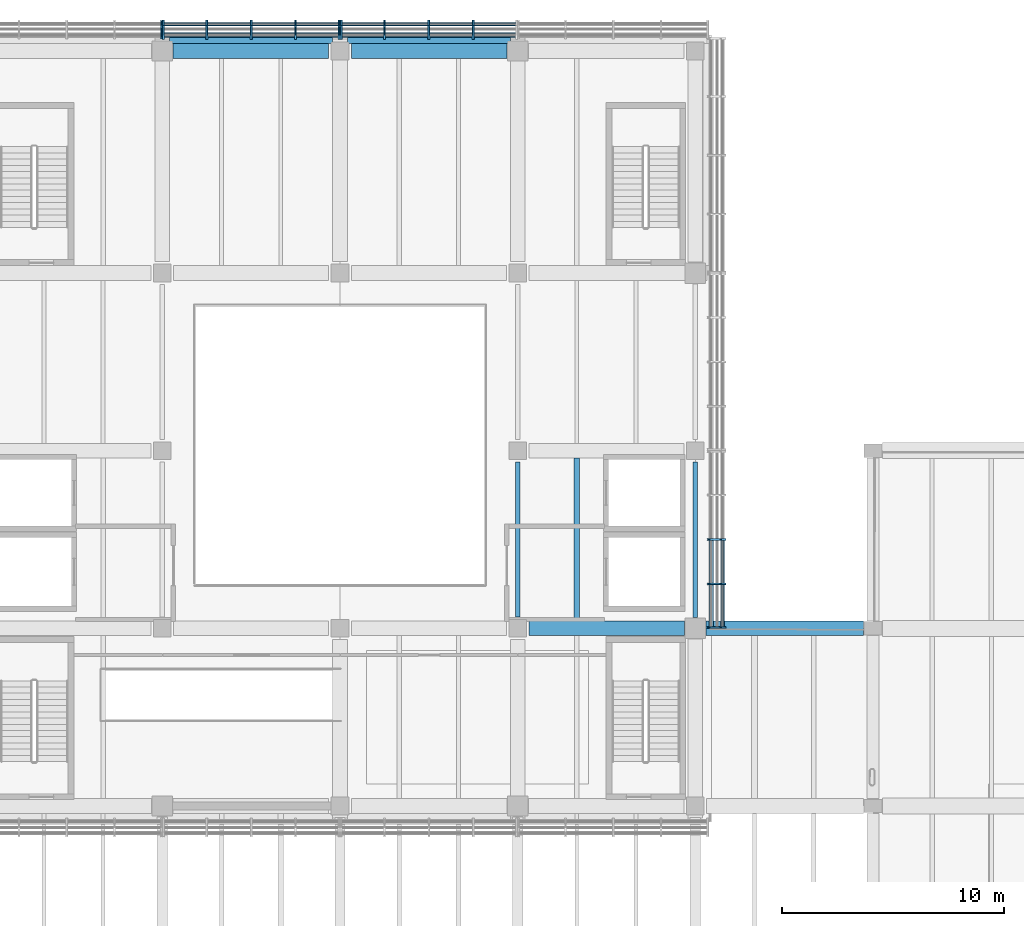
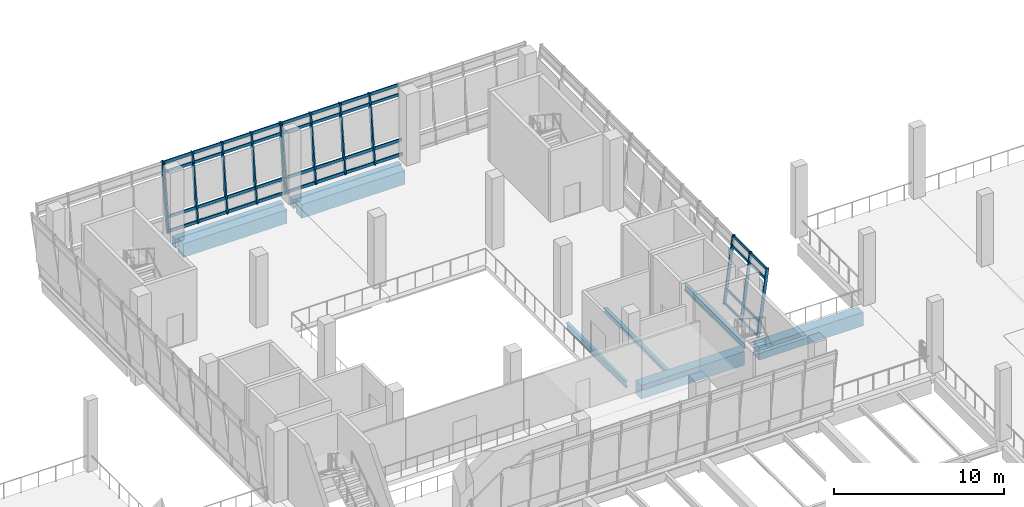
# One storey, part 18 of 61: 53 members, 9 beams, 4 elements without a shape of their own.
"""IFC4 building model written with IfcOpenShell, lengths in metres."""

from ifc_helpers import new_model, si_unit, direction, frame, origin, origin_2d, place, context, subcontext, project, spatial, rectangle, i_section, extrude, material, material_profile, profile_set, type_object, element, aggregate, save


model = new_model("IFC4")

# Units and contexts
model_context = context("Model", 3, precision=1e-05, world=origin(), true_north=direction((0.0, 1.0)))
body_context = subcontext(model_context, "Body", "Model", "MODEL_VIEW")
ifc_project = project(units=[si_unit("LENGTHUNIT", "METRE"), si_unit("AREAUNIT", "SQUARE_METRE"), si_unit("VOLUMEUNIT", "CUBIC_METRE"), si_unit("PLANEANGLEUNIT", "RADIAN"), si_unit("MASSUNIT", "GRAM", prefix="KILO")], contexts=[model_context])

# Site, building, storey
site_placement = place(None, origin())
site = spatial("IfcSite", under=ifc_project, at=site_placement, CompositionType="ELEMENT")
building_placement = place(site_placement, origin())
building = spatial("IfcBuilding", under=site, at=building_placement, Name="Pecanmere Concourse Central Library", CompositionType="ELEMENT")
storey_placement = place(building_placement, frame((0.0, 0.0, 5.39990234375)))
storey = spatial("IfcBuildingStorey", under=building, at=storey_placement, Name="L02", CompositionType="ELEMENT", Elevation=5.39990234375)

# Curtain wall, member
ifc_material_1 = material(Name="Anodized bronze aluminium alloy 6063-T6", Category="aluminium")
curtain_wall_type_1 = type_object("IfcCurtainWallType", Name="CW_LEAN_BANDED", PredefinedType="USERDEFINED", material=ifc_material_1)
curtain_wall_1_placement = place(storey_placement, origin())
curtain_wall_1 = element("IfcCurtainWall", 1, at=curtain_wall_1_placement, inside=storey, type_object=curtain_wall_type_1, Name="Unitised Curtain Wall CW-01 L02-011", ObjectType="UNITISED CURTAIN WALL", PredefinedType="USERDEFINED")
ifc_material_2 = material(Name="Anodized bronze aluminium alloy 6063-T6", Category="aluminium")
ifc_material_profile_1 = material_profile(ifc_material_2, rectangle(XDim=0.074951171875, YDim=0.199951171875, at=origin_2d()), Name="AL 75x200")
ifc_profile_set_1 = profile_set([ifc_material_profile_1], Name="Anodized bronze aluminium alloy 6063-T6")
member_type_1 = type_object("IfcMemberType", Name="CWM_200x75", PredefinedType="MULLION", material=ifc_profile_set_1)
member_1_placement = place(storey_placement, frame((79.95751953125, 124.640380859375, 0.0), z_axis=(0.0, 0.132283601957, 0.991211909055), x_axis=(-1.0, 0.0, 0.0)))
member_1 = element("IfcMember", 2, at=member_1_placement, type_object=member_type_1, Name="CW-01 Mullion 1", PredefinedType="MULLION", context=body_context, shape_type="SweptSolid", body=[
    extrude(rectangle(XDim=0.074951171875, YDim=0.199951171875, at=origin_2d()), origin(), (0.0, 0.0, 1.0), 4.80224609375),
])
aggregate(curtain_wall_1, [member_1])

# Curtain wall, members
curtain_wall_2_placement = place(storey_placement, origin())
curtain_wall_2 = element("IfcCurtainWall", 3, at=curtain_wall_2_placement, inside=storey, type_object=curtain_wall_type_1, Name="Unitised Curtain Wall CW-01 L02-016", ObjectType="UNITISED CURTAIN WALL", PredefinedType="USERDEFINED")
member_2_placement = place(storey_placement, frame((104.640380859375, 98.04248046875, 0.0), z_axis=(0.132283601957, 0.0, 0.991211909055), x_axis=(0.0, 1.0, 0.0)))
member_2 = element("IfcMember", 4, at=member_2_placement, type_object=member_type_1, Name="CW-01 Mullion 1", PredefinedType="MULLION", context=body_context, shape_type="SweptSolid", body=[
    extrude(rectangle(XDim=0.074951171875, YDim=0.199951171875, at=origin_2d()), origin(), (0.0, 0.0, 1.0), 4.80224609375),
])
member_3_placement = place(storey_placement, frame((104.640380859375, 100.00244140625, 0.0), z_axis=(0.132283601957, 0.0, 0.991211909055), x_axis=(0.0, 1.0, 0.0)))
member_3 = element("IfcMember", 5, at=member_3_placement, type_object=member_type_1, Name="CW-01 Mullion 2", PredefinedType="MULLION", context=body_context, shape_type="SweptSolid", body=[
    extrude(rectangle(XDim=0.074951171875, YDim=0.199951171875, at=origin_2d()), origin(), (0.0, 0.0, 1.0), 4.80224609375),
])
member_4_placement = place(storey_placement, frame((104.640380859375, 102.0, 0.0), z_axis=(0.132283601957, 0.0, 0.991211909055), x_axis=(0.0, 1.0, 0.0)))
member_4 = element("IfcMember", 6, at=member_4_placement, type_object=member_type_1, Name="CW-01 Mullion 3", PredefinedType="MULLION", context=body_context, shape_type="SweptSolid", body=[
    extrude(rectangle(XDim=0.074951171875, YDim=0.199951171875, at=origin_2d()), origin(), (0.0, 0.0, 1.0), 4.80224609375),
])

ifc_material_3 = material(Name="Anodized bronze aluminium alloy 6063-T6", Category="aluminium")
curtain_wall_type_2 = type_object("IfcCurtainWallType", Name="CW_PORTAL_CLEAR", PredefinedType="USERDEFINED", material=ifc_material_3)
curtain_wall_3_placement = place(storey_placement, origin())
curtain_wall_3 = element("IfcCurtainWall", 7, at=curtain_wall_3_placement, inside=storey, type_object=curtain_wall_type_2, Name="Unitised Curtain Wall CW-03 L02-009", ObjectType="UNITISED CURTAIN WALL", PredefinedType="USERDEFINED")
ifc_material_4 = material(Name="Anodized bronze aluminium alloy 6063-T6", Category="aluminium")
ifc_material_profile_2 = material_profile(ifc_material_4, rectangle(XDim=0.0849609375, YDim=0.239990234375, at=origin_2d()), Name="AL 85x240")
ifc_profile_set_2 = profile_set([ifc_material_profile_2], Name="Anodized bronze aluminium alloy 6063-T6")
member_type_2 = type_object("IfcMemberType", Name="CWM_240x85", PredefinedType="MULLION", material=ifc_profile_set_2)
member_5_placement = place(storey_placement, frame((93.99755859375, 124.640380859375, 0.0), z_axis=(0.0, 0.132283601957, 0.991211909055), x_axis=(-1.0, 0.0, 0.0)))
member_5 = element("IfcMember", 8, at=member_5_placement, type_object=member_type_2, Name="CW-03 Mullion 2", PredefinedType="MULLION", context=body_context, shape_type="SweptSolid", body=[
    extrude(rectangle(XDim=0.0849609375, YDim=0.239990234375, at=origin_2d()), origin(), (0.0, 0.0, 1.0), 4.80224609375),
])
member_6_placement = place(storey_placement, frame((92.0, 124.640380859375, 0.0), z_axis=(0.0, 0.132283601957, 0.991211909055), x_axis=(-1.0, 0.0, 0.0)))
member_6 = element("IfcMember", 9, at=member_6_placement, type_object=member_type_2, Name="CW-03 Mullion 3", PredefinedType="MULLION", context=body_context, shape_type="SweptSolid", body=[
    extrude(rectangle(XDim=0.0849609375, YDim=0.239990234375, at=origin_2d()), origin(), (0.0, 0.0, 1.0), 4.80224609375),
])
member_7_placement = place(storey_placement, frame((90.00244140625, 124.640380859375, 0.0), z_axis=(0.0, 0.132283601957, 0.991211909055), x_axis=(-1.0, 0.0, 0.0)))
member_7 = element("IfcMember", 10, at=member_7_placement, type_object=member_type_2, Name="CW-03 Mullion 4", PredefinedType="MULLION", context=body_context, shape_type="SweptSolid", body=[
    extrude(rectangle(XDim=0.0849609375, YDim=0.239990234375, at=origin_2d()), origin(), (0.0, 0.0, 1.0), 4.80224609375),
])
member_8_placement = place(storey_placement, frame((88.047607421875, 124.640380859375, 0.0), z_axis=(0.0, 0.132283601957, 0.991211909055), x_axis=(-1.0, 0.0, 0.0)))
member_8 = element("IfcMember", 11, at=member_8_placement, type_object=member_type_2, Name="CW-03 Mullion 5", PredefinedType="MULLION", context=body_context, shape_type="SweptSolid", body=[
    extrude(rectangle(XDim=0.0849609375, YDim=0.239990234375, at=origin_2d()), origin(), (0.0, 0.0, 1.0), 4.80224609375),
])

curtain_wall_4_placement = place(storey_placement, origin())
curtain_wall_4 = element("IfcCurtainWall", 12, at=curtain_wall_4_placement, inside=storey, type_object=curtain_wall_type_2, Name="Unitised Curtain Wall CW-03 L02-010", ObjectType="UNITISED CURTAIN WALL", PredefinedType="USERDEFINED")
member_9_placement = place(storey_placement, frame((87.952392578125, 124.640380859375, 0.0), z_axis=(0.0, 0.132283601957, 0.991211909055), x_axis=(-1.0, 0.0, 0.0)))
member_9 = element("IfcMember", 13, at=member_9_placement, type_object=member_type_2, Name="CW-03 Mullion 1", PredefinedType="MULLION", context=body_context, shape_type="SweptSolid", body=[
    extrude(rectangle(XDim=0.0849609375, YDim=0.239990234375, at=origin_2d()), origin(), (0.0, 0.0, 1.0), 4.80224609375),
])
member_10_placement = place(storey_placement, frame((85.99755859375, 124.640380859375, 0.0), z_axis=(0.0, 0.132283601957, 0.991211909055), x_axis=(-1.0, 0.0, 0.0)))
member_10 = element("IfcMember", 14, at=member_10_placement, type_object=member_type_2, Name="CW-03 Mullion 2", PredefinedType="MULLION", context=body_context, shape_type="SweptSolid", body=[
    extrude(rectangle(XDim=0.0849609375, YDim=0.239990234375, at=origin_2d()), origin(), (0.0, 0.0, 1.0), 4.80224609375),
])
member_11_placement = place(storey_placement, frame((84.0, 124.640380859375, 0.0), z_axis=(0.0, 0.132283601957, 0.991211909055), x_axis=(-1.0, 0.0, 0.0)))
member_11 = element("IfcMember", 15, at=member_11_placement, type_object=member_type_2, Name="CW-03 Mullion 3", PredefinedType="MULLION", context=body_context, shape_type="SweptSolid", body=[
    extrude(rectangle(XDim=0.0849609375, YDim=0.239990234375, at=origin_2d()), origin(), (0.0, 0.0, 1.0), 4.80224609375),
])
member_12_placement = place(storey_placement, frame((82.00244140625, 124.640380859375, 0.0), z_axis=(0.0, 0.132283601957, 0.991211909055), x_axis=(-1.0, 0.0, 0.0)))
member_12 = element("IfcMember", 16, at=member_12_placement, type_object=member_type_2, Name="CW-03 Mullion 4", PredefinedType="MULLION", context=body_context, shape_type="SweptSolid", body=[
    extrude(rectangle(XDim=0.0849609375, YDim=0.239990234375, at=origin_2d()), origin(), (0.0, 0.0, 1.0), 4.80224609375),
])
member_13_placement = place(storey_placement, frame((80.047607421875, 124.640380859375, 0.0), z_axis=(0.0, 0.132283601957, 0.991211909055), x_axis=(-1.0, 0.0, 0.0)))
member_13 = element("IfcMember", 17, at=member_13_placement, type_object=member_type_2, Name="CW-03 Mullion 5", PredefinedType="MULLION", context=body_context, shape_type="SweptSolid", body=[
    extrude(rectangle(XDim=0.0849609375, YDim=0.239990234375, at=origin_2d()), origin(), (0.0, 0.0, 1.0), 4.80224609375),
])

# Member
ifc_material_5 = material(Name="Anodized bronze aluminium alloy 6063-T6", Category="aluminium")
ifc_material_profile_3 = material_profile(ifc_material_5, rectangle(XDim=0.06494140625, YDim=0.179931640625, at=origin_2d()), Name="AL 65x180")
ifc_profile_set_3 = profile_set([ifc_material_profile_3], Name="Anodized bronze aluminium alloy 6063-T6")
member_type_3 = type_object("IfcMemberType", Name="CWT_180x65", PredefinedType="USERDEFINED", material=ifc_profile_set_3)
member_14_placement = place(storey_placement, frame((104.652587890625, 98.080078125, 0.090087890625), z_axis=(0.0, 1.0, 0.0), x_axis=(-1.0, 0.0, 0.0)))
member_14 = element("IfcMember", 18, at=member_14_placement, type_object=member_type_3, Name="CW-01 Transom 1.1", ObjectType="TRANSOM", PredefinedType="USERDEFINED", context=body_context, shape_type="SweptSolid", body=[
    extrude(rectangle(XDim=0.06494140625, YDim=0.179931640625, at=origin_2d()), origin(), (0.0, 0.0, 1.0), 1.885009765625),
])

member_15_placement = place(storey_placement, frame((104.780517578125, 98.080078125, 1.050048828125), z_axis=(0.0, 1.0, 0.0), x_axis=(-1.0, 0.0, 0.0)))
member_15 = element("IfcMember", 19, at=member_15_placement, type_object=member_type_3, Name="CW-01 Transom 1.2", ObjectType="TRANSOM", PredefinedType="USERDEFINED", context=body_context, shape_type="SweptSolid", body=[
    extrude(rectangle(XDim=0.06494140625, YDim=0.179931640625, at=origin_2d()), origin(), (0.0, 0.0, 1.0), 1.885009765625),
])

member_16_placement = place(storey_placement, frame((105.175537109375, 98.080078125, 4.010009765625), z_axis=(0.0, 1.0, 0.0), x_axis=(-1.0, 0.0, 0.0)))
member_16 = element("IfcMember", 20, at=member_16_placement, type_object=member_type_3, Name="CW-01 Transom 1.3", ObjectType="TRANSOM", PredefinedType="USERDEFINED", context=body_context, shape_type="SweptSolid", body=[
    extrude(rectangle(XDim=0.06494140625, YDim=0.179931640625, at=origin_2d()), origin(), (0.0, 0.0, 1.0), 1.885009765625),
])

member_17_placement = place(storey_placement, frame((105.263671875, 98.080078125, 4.670166015625), z_axis=(0.0, 1.0, 0.0), x_axis=(-1.0, 0.0, 0.0)))
member_17 = element("IfcMember", 21, at=member_17_placement, type_object=member_type_3, Name="CW-01 Transom 1.4", ObjectType="TRANSOM", PredefinedType="USERDEFINED", context=body_context, shape_type="SweptSolid", body=[
    extrude(rectangle(XDim=0.06494140625, YDim=0.179931640625, at=origin_2d()), origin(), (0.0, 0.0, 1.0), 1.885009765625),
])

member_18_placement = place(storey_placement, frame((104.652587890625, 100.0400390625, 0.090087890625), z_axis=(0.0, 1.0, 0.0), x_axis=(-1.0, 0.0, 0.0)))
member_18 = element("IfcMember", 22, at=member_18_placement, type_object=member_type_3, Name="CW-01 Transom 2.1", ObjectType="TRANSOM", PredefinedType="USERDEFINED", context=body_context, shape_type="SweptSolid", body=[
    extrude(rectangle(XDim=0.06494140625, YDim=0.179931640625, at=origin_2d()), origin(), (0.0, 0.0, 1.0), 1.92236328125),
])

member_19_placement = place(storey_placement, frame((104.780517578125, 100.0400390625, 1.050048828125), z_axis=(0.0, 1.0, 0.0), x_axis=(-1.0, 0.0, 0.0)))
member_19 = element("IfcMember", 23, at=member_19_placement, type_object=member_type_3, Name="CW-01 Transom 2.2", ObjectType="TRANSOM", PredefinedType="USERDEFINED", context=body_context, shape_type="SweptSolid", body=[
    extrude(rectangle(XDim=0.06494140625, YDim=0.179931640625, at=origin_2d()), origin(), (0.0, 0.0, 1.0), 1.92236328125),
])

member_20_placement = place(storey_placement, frame((105.175537109375, 100.0400390625, 4.010009765625), z_axis=(0.0, 1.0, 0.0), x_axis=(-1.0, 0.0, 0.0)))
member_20 = element("IfcMember", 24, at=member_20_placement, type_object=member_type_3, Name="CW-01 Transom 2.3", ObjectType="TRANSOM", PredefinedType="USERDEFINED", context=body_context, shape_type="SweptSolid", body=[
    extrude(rectangle(XDim=0.06494140625, YDim=0.179931640625, at=origin_2d()), origin(), (0.0, 0.0, 1.0), 1.92236328125),
])

member_21_placement = place(storey_placement, frame((105.263671875, 100.0400390625, 4.670166015625), z_axis=(0.0, 1.0, 0.0), x_axis=(-1.0, 0.0, 0.0)))
member_21 = element("IfcMember", 25, at=member_21_placement, type_object=member_type_3, Name="CW-01 Transom 2.4", ObjectType="TRANSOM", PredefinedType="USERDEFINED", context=body_context, shape_type="SweptSolid", body=[
    extrude(rectangle(XDim=0.06494140625, YDim=0.179931640625, at=origin_2d()), origin(), (0.0, 0.0, 1.0), 1.92236328125),
])

aggregate(curtain_wall_2, [member_2, member_3, member_4, member_14, member_15, member_16, member_17, member_18, member_19, member_20, member_21])

ifc_material_6 = material(Name="Anodized bronze aluminium alloy 6063-T6", Category="aluminium")
ifc_material_profile_4 = material_profile(ifc_material_6, rectangle(XDim=0.074951171875, YDim=0.2099609375, at=origin_2d()), Name="AL 75x210")
ifc_profile_set_4 = profile_set([ifc_material_profile_4], Name="Anodized bronze aluminium alloy 6063-T6")
member_type_4 = type_object("IfcMemberType", Name="CWT_210x75", PredefinedType="USERDEFINED", material=ifc_profile_set_4)
member_22_placement = place(storey_placement, frame((95.909912109375, 124.654541015625, 0.10498046875), z_axis=(-1.0, 0.0, 0.0), x_axis=(0.0, -1.0, 0.0)))
member_22 = element("IfcMember", 26, at=member_22_placement, type_object=member_type_4, Name="CW-03 Transom 1.1", ObjectType="TRANSOM", PredefinedType="USERDEFINED", context=body_context, shape_type="SweptSolid", body=[
    extrude(rectangle(XDim=0.074951171875, YDim=0.2099609375, at=origin_2d()), origin(), (0.0, 0.0, 1.0), 1.869873046875),
])

member_23_placement = place(storey_placement, frame((95.909912109375, 124.780517578125, 1.050048828125), z_axis=(-1.0, 0.0, 0.0), x_axis=(0.0, -1.0, 0.0)))
member_23 = element("IfcMember", 27, at=member_23_placement, type_object=member_type_4, Name="CW-03 Transom 1.2", ObjectType="TRANSOM", PredefinedType="USERDEFINED", context=body_context, shape_type="SweptSolid", body=[
    extrude(rectangle(XDim=0.074951171875, YDim=0.2099609375, at=origin_2d()), origin(), (0.0, 0.0, 1.0), 1.869873046875),
])

member_24_placement = place(storey_placement, frame((95.909912109375, 125.175537109375, 4.010009765625), z_axis=(-1.0, 0.0, 0.0), x_axis=(0.0, -1.0, 0.0)))
member_24 = element("IfcMember", 28, at=member_24_placement, type_object=member_type_4, Name="CW-03 Transom 1.3", ObjectType="TRANSOM", PredefinedType="USERDEFINED", context=body_context, shape_type="SweptSolid", body=[
    extrude(rectangle(XDim=0.074951171875, YDim=0.2099609375, at=origin_2d()), origin(), (0.0, 0.0, 1.0), 1.869873046875),
])

member_25_placement = place(storey_placement, frame((95.909912109375, 125.26171875, 4.655029296875), z_axis=(-1.0, 0.0, 0.0), x_axis=(0.0, -1.0, 0.0)))
member_25 = element("IfcMember", 29, at=member_25_placement, type_object=member_type_4, Name="CW-03 Transom 1.4", ObjectType="TRANSOM", PredefinedType="USERDEFINED", context=body_context, shape_type="SweptSolid", body=[
    extrude(rectangle(XDim=0.074951171875, YDim=0.2099609375, at=origin_2d()), origin(), (0.0, 0.0, 1.0), 1.869873046875),
])

member_26_placement = place(storey_placement, frame((93.955078125, 124.654541015625, 0.10498046875), z_axis=(-1.0, 0.0, 0.0), x_axis=(0.0, -1.0, 0.0)))
member_26 = element("IfcMember", 30, at=member_26_placement, type_object=member_type_4, Name="CW-03 Transom 2.1", ObjectType="TRANSOM", PredefinedType="USERDEFINED", context=body_context, shape_type="SweptSolid", body=[
    extrude(rectangle(XDim=0.074951171875, YDim=0.2099609375, at=origin_2d()), origin(), (0.0, 0.0, 1.0), 1.91259765625),
])

member_27_placement = place(storey_placement, frame((93.955078125, 124.780517578125, 1.050048828125), z_axis=(-1.0, 0.0, 0.0), x_axis=(0.0, -1.0, 0.0)))
member_27 = element("IfcMember", 31, at=member_27_placement, type_object=member_type_4, Name="CW-03 Transom 2.2", ObjectType="TRANSOM", PredefinedType="USERDEFINED", context=body_context, shape_type="SweptSolid", body=[
    extrude(rectangle(XDim=0.074951171875, YDim=0.2099609375, at=origin_2d()), origin(), (0.0, 0.0, 1.0), 1.91259765625),
])

member_28_placement = place(storey_placement, frame((93.955078125, 125.175537109375, 4.010009765625), z_axis=(-1.0, 0.0, 0.0), x_axis=(0.0, -1.0, 0.0)))
member_28 = element("IfcMember", 32, at=member_28_placement, type_object=member_type_4, Name="CW-03 Transom 2.3", ObjectType="TRANSOM", PredefinedType="USERDEFINED", context=body_context, shape_type="SweptSolid", body=[
    extrude(rectangle(XDim=0.074951171875, YDim=0.2099609375, at=origin_2d()), origin(), (0.0, 0.0, 1.0), 1.91259765625),
])

member_29_placement = place(storey_placement, frame((93.955078125, 125.26171875, 4.655029296875), z_axis=(-1.0, 0.0, 0.0), x_axis=(0.0, -1.0, 0.0)))
member_29 = element("IfcMember", 33, at=member_29_placement, type_object=member_type_4, Name="CW-03 Transom 2.4", ObjectType="TRANSOM", PredefinedType="USERDEFINED", context=body_context, shape_type="SweptSolid", body=[
    extrude(rectangle(XDim=0.074951171875, YDim=0.2099609375, at=origin_2d()), origin(), (0.0, 0.0, 1.0), 1.91259765625),
])

member_30_placement = place(storey_placement, frame((91.95751953125, 124.654541015625, 0.10498046875), z_axis=(-1.0, 0.0, 0.0), x_axis=(0.0, -1.0, 0.0)))
member_30 = element("IfcMember", 34, at=member_30_placement, type_object=member_type_4, Name="CW-03 Transom 3.1", ObjectType="TRANSOM", PredefinedType="USERDEFINED", context=body_context, shape_type="SweptSolid", body=[
    extrude(rectangle(XDim=0.074951171875, YDim=0.2099609375, at=origin_2d()), origin(), (0.0, 0.0, 1.0), 1.91259765625),
])

member_31_placement = place(storey_placement, frame((91.95751953125, 124.780517578125, 1.050048828125), z_axis=(-1.0, 0.0, 0.0), x_axis=(0.0, -1.0, 0.0)))
member_31 = element("IfcMember", 35, at=member_31_placement, type_object=member_type_4, Name="CW-03 Transom 3.2", ObjectType="TRANSOM", PredefinedType="USERDEFINED", context=body_context, shape_type="SweptSolid", body=[
    extrude(rectangle(XDim=0.074951171875, YDim=0.2099609375, at=origin_2d()), origin(), (0.0, 0.0, 1.0), 1.91259765625),
])

member_32_placement = place(storey_placement, frame((91.95751953125, 125.175537109375, 4.010009765625), z_axis=(-1.0, 0.0, 0.0), x_axis=(0.0, -1.0, 0.0)))
member_32 = element("IfcMember", 36, at=member_32_placement, type_object=member_type_4, Name="CW-03 Transom 3.3", ObjectType="TRANSOM", PredefinedType="USERDEFINED", context=body_context, shape_type="SweptSolid", body=[
    extrude(rectangle(XDim=0.074951171875, YDim=0.2099609375, at=origin_2d()), origin(), (0.0, 0.0, 1.0), 1.91259765625),
])

member_33_placement = place(storey_placement, frame((91.95751953125, 125.26171875, 4.655029296875), z_axis=(-1.0, 0.0, 0.0), x_axis=(0.0, -1.0, 0.0)))
member_33 = element("IfcMember", 37, at=member_33_placement, type_object=member_type_4, Name="CW-03 Transom 3.4", ObjectType="TRANSOM", PredefinedType="USERDEFINED", context=body_context, shape_type="SweptSolid", body=[
    extrude(rectangle(XDim=0.074951171875, YDim=0.2099609375, at=origin_2d()), origin(), (0.0, 0.0, 1.0), 1.91259765625),
])

member_34_placement = place(storey_placement, frame((89.9599609375, 124.654541015625, 0.10498046875), z_axis=(-1.0, 0.0, 0.0), x_axis=(0.0, -1.0, 0.0)))
member_34 = element("IfcMember", 38, at=member_34_placement, type_object=member_type_4, Name="CW-03 Transom 4.1", ObjectType="TRANSOM", PredefinedType="USERDEFINED", context=body_context, shape_type="SweptSolid", body=[
    extrude(rectangle(XDim=0.074951171875, YDim=0.2099609375, at=origin_2d()), origin(), (0.0, 0.0, 1.0), 1.869873046875),
])

member_35_placement = place(storey_placement, frame((89.9599609375, 124.780517578125, 1.050048828125), z_axis=(-1.0, 0.0, 0.0), x_axis=(0.0, -1.0, 0.0)))
member_35 = element("IfcMember", 39, at=member_35_placement, type_object=member_type_4, Name="CW-03 Transom 4.2", ObjectType="TRANSOM", PredefinedType="USERDEFINED", context=body_context, shape_type="SweptSolid", body=[
    extrude(rectangle(XDim=0.074951171875, YDim=0.2099609375, at=origin_2d()), origin(), (0.0, 0.0, 1.0), 1.869873046875),
])

member_36_placement = place(storey_placement, frame((89.9599609375, 125.175537109375, 4.010009765625), z_axis=(-1.0, 0.0, 0.0), x_axis=(0.0, -1.0, 0.0)))
member_36 = element("IfcMember", 40, at=member_36_placement, type_object=member_type_4, Name="CW-03 Transom 4.3", ObjectType="TRANSOM", PredefinedType="USERDEFINED", context=body_context, shape_type="SweptSolid", body=[
    extrude(rectangle(XDim=0.074951171875, YDim=0.2099609375, at=origin_2d()), origin(), (0.0, 0.0, 1.0), 1.869873046875),
])

member_37_placement = place(storey_placement, frame((89.9599609375, 125.26171875, 4.655029296875), z_axis=(-1.0, 0.0, 0.0), x_axis=(0.0, -1.0, 0.0)))
member_37 = element("IfcMember", 41, at=member_37_placement, type_object=member_type_4, Name="CW-03 Transom 4.4", ObjectType="TRANSOM", PredefinedType="USERDEFINED", context=body_context, shape_type="SweptSolid", body=[
    extrude(rectangle(XDim=0.074951171875, YDim=0.2099609375, at=origin_2d()), origin(), (0.0, 0.0, 1.0), 1.869873046875),
])

aggregate(curtain_wall_3, [member_5, member_6, member_7, member_8, member_22, member_23, member_24, member_25, member_26, member_27, member_28, member_29, member_30, member_31, member_32, member_33, member_34, member_35, member_36, member_37])

member_38_placement = place(storey_placement, frame((87.909912109375, 124.654541015625, 0.10498046875), z_axis=(-1.0, 0.0, 0.0), x_axis=(0.0, -1.0, 0.0)))
member_38 = element("IfcMember", 42, at=member_38_placement, type_object=member_type_4, Name="CW-03 Transom 1.1", ObjectType="TRANSOM", PredefinedType="USERDEFINED", context=body_context, shape_type="SweptSolid", body=[
    extrude(rectangle(XDim=0.074951171875, YDim=0.2099609375, at=origin_2d()), origin(), (0.0, 0.0, 1.0), 1.869873046875),
])

member_39_placement = place(storey_placement, frame((87.909912109375, 124.780517578125, 1.050048828125), z_axis=(-1.0, 0.0, 0.0), x_axis=(0.0, -1.0, 0.0)))
member_39 = element("IfcMember", 43, at=member_39_placement, type_object=member_type_4, Name="CW-03 Transom 1.2", ObjectType="TRANSOM", PredefinedType="USERDEFINED", context=body_context, shape_type="SweptSolid", body=[
    extrude(rectangle(XDim=0.074951171875, YDim=0.2099609375, at=origin_2d()), origin(), (0.0, 0.0, 1.0), 1.869873046875),
])

member_40_placement = place(storey_placement, frame((87.909912109375, 125.175537109375, 4.010009765625), z_axis=(-1.0, 0.0, 0.0), x_axis=(0.0, -1.0, 0.0)))
member_40 = element("IfcMember", 44, at=member_40_placement, type_object=member_type_4, Name="CW-03 Transom 1.3", ObjectType="TRANSOM", PredefinedType="USERDEFINED", context=body_context, shape_type="SweptSolid", body=[
    extrude(rectangle(XDim=0.074951171875, YDim=0.2099609375, at=origin_2d()), origin(), (0.0, 0.0, 1.0), 1.869873046875),
])

member_41_placement = place(storey_placement, frame((87.909912109375, 125.26171875, 4.655029296875), z_axis=(-1.0, 0.0, 0.0), x_axis=(0.0, -1.0, 0.0)))
member_41 = element("IfcMember", 45, at=member_41_placement, type_object=member_type_4, Name="CW-03 Transom 1.4", ObjectType="TRANSOM", PredefinedType="USERDEFINED", context=body_context, shape_type="SweptSolid", body=[
    extrude(rectangle(XDim=0.074951171875, YDim=0.2099609375, at=origin_2d()), origin(), (0.0, 0.0, 1.0), 1.869873046875),
])

member_42_placement = place(storey_placement, frame((85.955078125, 124.654541015625, 0.10498046875), z_axis=(-1.0, 0.0, 0.0), x_axis=(0.0, -1.0, 0.0)))
member_42 = element("IfcMember", 46, at=member_42_placement, type_object=member_type_4, Name="CW-03 Transom 2.1", ObjectType="TRANSOM", PredefinedType="USERDEFINED", context=body_context, shape_type="SweptSolid", body=[
    extrude(rectangle(XDim=0.074951171875, YDim=0.2099609375, at=origin_2d()), origin(), (0.0, 0.0, 1.0), 1.91259765625),
])

member_43_placement = place(storey_placement, frame((85.955078125, 124.780517578125, 1.050048828125), z_axis=(-1.0, 0.0, 0.0), x_axis=(0.0, -1.0, 0.0)))
member_43 = element("IfcMember", 47, at=member_43_placement, type_object=member_type_4, Name="CW-03 Transom 2.2", ObjectType="TRANSOM", PredefinedType="USERDEFINED", context=body_context, shape_type="SweptSolid", body=[
    extrude(rectangle(XDim=0.074951171875, YDim=0.2099609375, at=origin_2d()), origin(), (0.0, 0.0, 1.0), 1.91259765625),
])

member_44_placement = place(storey_placement, frame((85.955078125, 125.175537109375, 4.010009765625), z_axis=(-1.0, 0.0, 0.0), x_axis=(0.0, -1.0, 0.0)))
member_44 = element("IfcMember", 48, at=member_44_placement, type_object=member_type_4, Name="CW-03 Transom 2.3", ObjectType="TRANSOM", PredefinedType="USERDEFINED", context=body_context, shape_type="SweptSolid", body=[
    extrude(rectangle(XDim=0.074951171875, YDim=0.2099609375, at=origin_2d()), origin(), (0.0, 0.0, 1.0), 1.91259765625),
])

member_45_placement = place(storey_placement, frame((85.955078125, 125.26171875, 4.655029296875), z_axis=(-1.0, 0.0, 0.0), x_axis=(0.0, -1.0, 0.0)))
member_45 = element("IfcMember", 49, at=member_45_placement, type_object=member_type_4, Name="CW-03 Transom 2.4", ObjectType="TRANSOM", PredefinedType="USERDEFINED", context=body_context, shape_type="SweptSolid", body=[
    extrude(rectangle(XDim=0.074951171875, YDim=0.2099609375, at=origin_2d()), origin(), (0.0, 0.0, 1.0), 1.91259765625),
])

member_46_placement = place(storey_placement, frame((83.95751953125, 124.654541015625, 0.10498046875), z_axis=(-1.0, 0.0, 0.0), x_axis=(0.0, -1.0, 0.0)))
member_46 = element("IfcMember", 50, at=member_46_placement, type_object=member_type_4, Name="CW-03 Transom 3.1", ObjectType="TRANSOM", PredefinedType="USERDEFINED", context=body_context, shape_type="SweptSolid", body=[
    extrude(rectangle(XDim=0.074951171875, YDim=0.2099609375, at=origin_2d()), origin(), (0.0, 0.0, 1.0), 1.91259765625),
])

member_47_placement = place(storey_placement, frame((83.95751953125, 124.780517578125, 1.050048828125), z_axis=(-1.0, 0.0, 0.0), x_axis=(0.0, -1.0, 0.0)))
member_47 = element("IfcMember", 51, at=member_47_placement, type_object=member_type_4, Name="CW-03 Transom 3.2", ObjectType="TRANSOM", PredefinedType="USERDEFINED", context=body_context, shape_type="SweptSolid", body=[
    extrude(rectangle(XDim=0.074951171875, YDim=0.2099609375, at=origin_2d()), origin(), (0.0, 0.0, 1.0), 1.91259765625),
])

member_48_placement = place(storey_placement, frame((83.95751953125, 125.175537109375, 4.010009765625), z_axis=(-1.0, 0.0, 0.0), x_axis=(0.0, -1.0, 0.0)))
member_48 = element("IfcMember", 52, at=member_48_placement, type_object=member_type_4, Name="CW-03 Transom 3.3", ObjectType="TRANSOM", PredefinedType="USERDEFINED", context=body_context, shape_type="SweptSolid", body=[
    extrude(rectangle(XDim=0.074951171875, YDim=0.2099609375, at=origin_2d()), origin(), (0.0, 0.0, 1.0), 1.91259765625),
])

member_49_placement = place(storey_placement, frame((83.95751953125, 125.26171875, 4.655029296875), z_axis=(-1.0, 0.0, 0.0), x_axis=(0.0, -1.0, 0.0)))
member_49 = element("IfcMember", 53, at=member_49_placement, type_object=member_type_4, Name="CW-03 Transom 3.4", ObjectType="TRANSOM", PredefinedType="USERDEFINED", context=body_context, shape_type="SweptSolid", body=[
    extrude(rectangle(XDim=0.074951171875, YDim=0.2099609375, at=origin_2d()), origin(), (0.0, 0.0, 1.0), 1.91259765625),
])

member_50_placement = place(storey_placement, frame((81.9599609375, 124.654541015625, 0.10498046875), z_axis=(-1.0, 0.0, 0.0), x_axis=(0.0, -1.0, 0.0)))
member_50 = element("IfcMember", 54, at=member_50_placement, type_object=member_type_4, Name="CW-03 Transom 4.1", ObjectType="TRANSOM", PredefinedType="USERDEFINED", context=body_context, shape_type="SweptSolid", body=[
    extrude(rectangle(XDim=0.074951171875, YDim=0.2099609375, at=origin_2d()), origin(), (0.0, 0.0, 1.0), 1.869873046875),
])

member_51_placement = place(storey_placement, frame((81.9599609375, 124.780517578125, 1.050048828125), z_axis=(-1.0, 0.0, 0.0), x_axis=(0.0, -1.0, 0.0)))
member_51 = element("IfcMember", 55, at=member_51_placement, type_object=member_type_4, Name="CW-03 Transom 4.2", ObjectType="TRANSOM", PredefinedType="USERDEFINED", context=body_context, shape_type="SweptSolid", body=[
    extrude(rectangle(XDim=0.074951171875, YDim=0.2099609375, at=origin_2d()), origin(), (0.0, 0.0, 1.0), 1.869873046875),
])

member_52_placement = place(storey_placement, frame((81.9599609375, 125.175537109375, 4.010009765625), z_axis=(-1.0, 0.0, 0.0), x_axis=(0.0, -1.0, 0.0)))
member_52 = element("IfcMember", 56, at=member_52_placement, type_object=member_type_4, Name="CW-03 Transom 4.3", ObjectType="TRANSOM", PredefinedType="USERDEFINED", context=body_context, shape_type="SweptSolid", body=[
    extrude(rectangle(XDim=0.074951171875, YDim=0.2099609375, at=origin_2d()), origin(), (0.0, 0.0, 1.0), 1.869873046875),
])

member_53_placement = place(storey_placement, frame((81.9599609375, 125.26171875, 4.655029296875), z_axis=(-1.0, 0.0, 0.0), x_axis=(0.0, -1.0, 0.0)))
member_53 = element("IfcMember", 57, at=member_53_placement, type_object=member_type_4, Name="CW-03 Transom 4.4", ObjectType="TRANSOM", PredefinedType="USERDEFINED", context=body_context, shape_type="SweptSolid", body=[
    extrude(rectangle(XDim=0.074951171875, YDim=0.2099609375, at=origin_2d()), origin(), (0.0, 0.0, 1.0), 1.869873046875),
])

aggregate(curtain_wall_4, [member_9, member_10, member_11, member_12, member_13, member_38, member_39, member_40, member_41, member_42, member_43, member_44, member_45, member_46, member_47, member_48, member_49, member_50, member_51, member_52, member_53])

# Beams
ifc_material_7 = material(Name="Concrete C40/50", Category="concrete")
ifc_material_profile_5 = material_profile(ifc_material_7, rectangle(XDim=0.659912109375, YDim=0.97998046875, at=origin_2d()), Name="RC 660x980")
ifc_profile_set_5 = profile_set([ifc_material_profile_5], Name="Concrete C40/50")
beam_type_1 = type_object("IfcBeamType", Name="GRD_660x980", PredefinedType="USERDEFINED", material=ifc_profile_set_5)
beam_1_placement = place(storey_placement, frame((96.510009765625, 98.0, -0.85986328125), z_axis=(1.0, 0.0, 0.0), x_axis=(0.0, 1.0, 0.0)))
element("IfcBeam", 58, at=beam_1_placement, inside=storey, type_object=beam_type_1, Name="Primary Girder X L02-0934", ObjectType="GIRDER", PredefinedType="USERDEFINED", context=body_context, shape_type="SweptSolid", body=[
    extrude(rectangle(XDim=0.659912109375, YDim=0.97998046875, at=origin_2d()), origin(), (0.0, 0.0, 1.0), 7.0),
])
beam_2_placement = place(storey_placement, frame((104.489990234375, 98.0, -0.85986328125), z_axis=(1.0, 0.0, 0.0), x_axis=(0.0, 1.0, 0.0)))
element("IfcBeam", 59, at=beam_2_placement, inside=storey, type_object=beam_type_1, Name="Primary Girder X L02-0935", ObjectType="GIRDER", PredefinedType="USERDEFINED", context=body_context, shape_type="SweptSolid", body=[
    extrude(rectangle(XDim=0.659912109375, YDim=0.97998046875, at=origin_2d()), origin(), (0.0, 0.0, 1.0), 7.080078125),
])
for number, where, z_axis, x_axis, name in (
    (60, (80.489990234375, 124.0, -0.85986328125), (1.0, 0.0, 0.0), (0.0, 1.0, 0.0), "Primary Girder X L02-0958"),
    (61, (88.510009765625, 124.0, -0.85986328125), (1.0, 0.0, 0.0), (0.0, 1.0, 0.0), "Primary Girder X L02-0959"),
):
    element("IfcBeam", number, at=place(storey_placement, frame(where, z_axis=z_axis, x_axis=x_axis)), inside=storey, type_object=beam_type_1, Name=name, ObjectType="GIRDER", PredefinedType="USERDEFINED", context=body_context, shape_type="SweptSolid", body=[
        extrude(rectangle(XDim=0.659912109375, YDim=0.97998046875, at=origin_2d()), origin(), (0.0, 0.0, 1.0), 7.0),
    ])
ifc_material_8 = material(Name="Structural steel ASTM A992 Grade 50", Category="steel")
ifc_material_profile_6 = material_profile(ifc_material_8, i_section(OverallWidth=0.25390625, OverallDepth=0.2529296875, WebThickness=0.008544921875, FlangeThickness=0.01416015625, at=origin_2d()), Name="W250x73")
ifc_profile_set_6 = profile_set([ifc_material_profile_6], Name="Structural steel ASTM A992 Grade 50")
beam_type_2 = type_object("IfcBeamType", Name="SBM_W250x73", PredefinedType="BEAM", material=ifc_profile_set_6)
beam_3_placement = place(storey_placement, frame((98.666748046875, 98.330078125, -0.496337890625), z_axis=(0.0, 1.0, 0.0), x_axis=(-1.0, 0.0, 0.0)))
element("IfcBeam", 62, at=beam_3_placement, inside=storey, type_object=beam_type_2, Name="Secondary Floor Joist L02-1342", PredefinedType="BEAM", context=body_context, shape_type="SweptSolid", body=[
    extrude(i_section(OverallWidth=0.25390625, OverallDepth=0.2529296875, WebThickness=0.008544921875, FlangeThickness=0.01416015625, at=origin_2d()), origin(), (0.0, 0.0, 1.0), 7.33984375),
])
ifc_material_9 = material(Name="Structural steel ASTM A992 Grade 50", Category="steel")
ifc_material_profile_7 = material_profile(ifc_material_9, i_section(OverallWidth=0.194091796875, OverallDepth=0.468994140625, WebThickness=0.0126953125, FlangeThickness=0.0205078125, at=origin_2d()), Name="W460x106")
ifc_profile_set_7 = profile_set([ifc_material_profile_7], Name="Structural steel ASTM A992 Grade 50")
beam_type_3 = type_object("IfcBeamType", Name="SBM_W460x106", PredefinedType="USERDEFINED", material=ifc_profile_set_7)
beam_4_placement = place(storey_placement, frame((96.0, 98.510009765625, -0.6044921875), z_axis=(0.0, 1.0, 0.0), x_axis=(-1.0, 0.0, 0.0)))
element("IfcBeam", 63, at=beam_4_placement, inside=storey, type_object=beam_type_3, Name="Primary Girder Y L02-1071", ObjectType="GIRDER", PredefinedType="USERDEFINED", context=body_context, shape_type="SweptSolid", body=[
    extrude(i_section(OverallWidth=0.194091796875, OverallDepth=0.468994140625, WebThickness=0.0126953125, FlangeThickness=0.0205078125, at=origin_2d()), origin(), (0.0, 0.0, 1.0), 6.97998046875),
])
beam_5_placement = place(storey_placement, frame((104.0, 98.489990234375, -0.6044921875), z_axis=(0.0, 1.0, 0.0), x_axis=(-1.0, 0.0, 0.0)))
element("IfcBeam", 64, at=beam_5_placement, inside=storey, type_object=beam_type_3, Name="Primary Girder Y L02-1083", ObjectType="GIRDER", PredefinedType="USERDEFINED", context=body_context, shape_type="SweptSolid", body=[
    extrude(i_section(OverallWidth=0.194091796875, OverallDepth=0.468994140625, WebThickness=0.0126953125, FlangeThickness=0.0205078125, at=origin_2d()), origin(), (0.0, 0.0, 1.0), 7.0),
])
ifc_material_10 = material(Name="Concrete C40/50", Category="concrete")
ifc_material_profile_8 = material_profile(ifc_material_10, rectangle(XDim=0.3798828125, YDim=0.639892578125, at=origin_2d()), Name="RC 380x640")
ifc_profile_set_8 = profile_set([ifc_material_profile_8], Name="Concrete C40/50")
beam_type_4 = type_object("IfcBeamType", Name="SPB_380x640", PredefinedType="BEAM", material=ifc_profile_set_8)
for number, where, z_axis, x_axis, name in (
    (65, (80.330078125, 124.530517578125, -0.68994140625), (1.0, 0.0, 0.0), (0.0, 1.0, 0.0), "Leaning Facade Edge Beam L02-1163"),
    (66, (88.330078125, 124.530517578125, -0.68994140625), (1.0, 0.0, 0.0), (0.0, 1.0, 0.0), "Leaning Facade Edge Beam L02-1164"),
):
    element("IfcBeam", number, at=place(storey_placement, frame(where, z_axis=z_axis, x_axis=x_axis)), inside=storey, type_object=beam_type_4, Name=name, PredefinedType="BEAM", context=body_context, shape_type="SweptSolid", body=[
        extrude(rectangle(XDim=0.3798828125, YDim=0.639892578125, at=origin_2d()), origin(), (0.0, 0.0, 1.0), 7.33984375),
    ])

save(model, "model.ifc")
